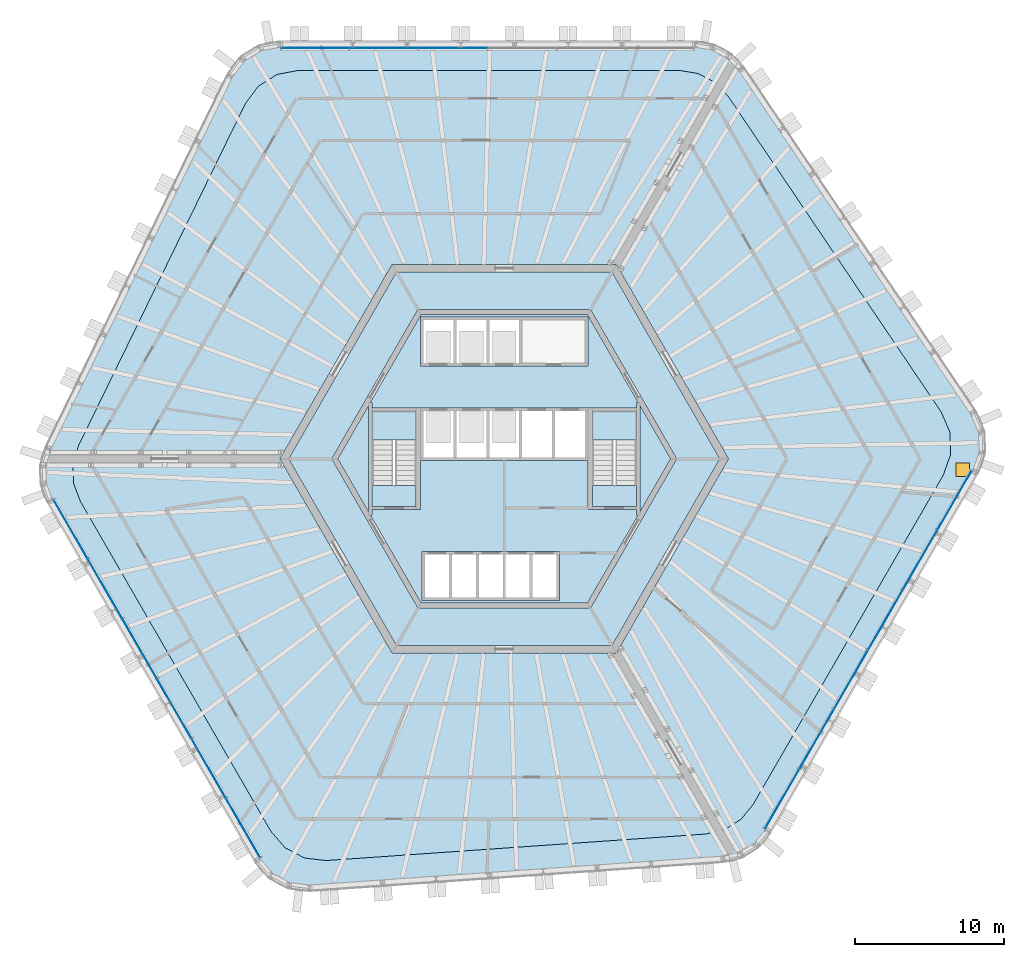
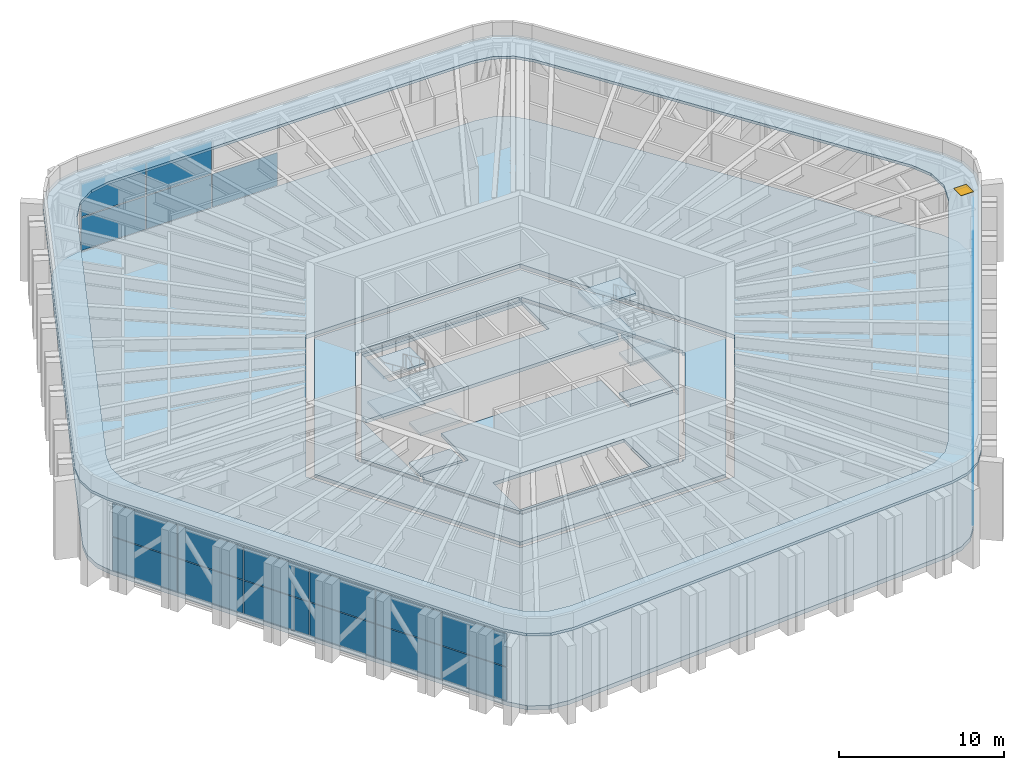
# One storey, part 10 of 24: 29 plates, 15 slabs, 1 door, 1 opening, 5 elements without a shape of their own.
"""IFC4 building model written with IfcOpenShell, lengths in metres."""

from ifc_helpers import new_model, si_unit, direction, frame, origin, origin_2d, place, context, subcontext, project, spatial, polyline, rectangle, outline, extrude, material, layer, layer_set, type_object, element, fill, aggregate, save


model = new_model("IFC4")

# Units and contexts
model_context = context("Model", 3, precision=1e-05, world=origin(), true_north=direction((0.0, 1.0)))
body_context = subcontext(model_context, "Body", "Model", "MODEL_VIEW")
ifc_project = project(units=[si_unit("LENGTHUNIT", "METRE"), si_unit("AREAUNIT", "SQUARE_METRE"), si_unit("VOLUMEUNIT", "CUBIC_METRE"), si_unit("PLANEANGLEUNIT", "RADIAN"), si_unit("MASSUNIT", "GRAM", prefix="KILO")], contexts=[model_context])

# Site, building, storey
site_placement = place(None, origin())
site = spatial("IfcSite", under=ifc_project, at=site_placement, CompositionType="ELEMENT")
building_placement = place(site_placement, origin())
building = spatial("IfcBuilding", under=site, at=building_placement, Name="Tarnside Tower", CompositionType="ELEMENT")
storey_placement = place(building_placement, frame((0.0, 0.0, 250.199951171875)))
storey = spatial("IfcBuildingStorey", under=building, at=storey_placement, Name="L60", CompositionType="ELEMENT", Elevation=250.199951171875)

# Slabs
ifc_material_1 = material(Name="Concrete C35/45", Category="concrete")
ifc_layer_1 = layer(ifc_material_1, 0.300048828125)
ifc_layer_set_1 = layer_set([ifc_layer_1], Name="Composite floor slab 300")
slab_type_1 = type_object("IfcSlabType", Name="Composite floor slab 300", PredefinedType="FLOOR", material=ifc_layer_set_1)
slab_1_placement = place(storey_placement, frame((0.0, 0.0, -0.300048828125)))
element("IfcSlab", 1, at=slab_1_placement, inside=storey, type_object=slab_type_1, Name="Floor slab L60", PredefinedType="FLOOR", context=body_context, shape_type="SweptSolid", body=[
    extrude(outline(polyline([(13.88720703125, 27.333740234375), (14.89501953125, 26.7978515625), (15.689697265625, 25.955322265625), (31.19189453125, 2.97265625), (31.71533203125, 1.759033203125), (31.7607421875, 0.45751953125), (31.3232421875, -0.78955078125), (17.462158203125, -24.797607421875), (16.72802734375, -25.693603515625), (15.760009765625, -26.29833984375), (14.63330078125, -26.5654296875), (-13.021484375, -28.499267578125), (-14.334228515625, -28.345703125), (-15.484130859375, -27.734375), (-16.345458984375, -26.73193359375), (-30.20654296875, -2.723876953125), (-30.615234375, -1.64013671875), (-30.655029296875, -0.49951171875), (-30.322998046875, 0.610107421875), (-18.17041015625, 25.526611328125), (-17.381103515625, 26.5869140625), (-16.276611328125, 27.27685546875), (-14.977783203125, 27.521484375), (12.744384765625, 27.521484375), (13.88720703125, 27.333740234375)]), holes=[polyline([(-15.010986328125, 0.0), (-7.505615234375, -13.0), (7.505615234375, -13.0), (15.010986328125, 0.0), (7.505615234375, 13.0), (-7.505615234375, 13.0), (-15.010986328125, 0.0)])]), origin(), (0.0, 0.0, 1.0), 0.300048828125),
])
ifc_material_2 = material(Name="Concrete C40/50", Category="concrete")
ifc_layer_2 = layer(ifc_material_2, 0.25)
ifc_layer_set_2 = layer_set([ifc_layer_2], Name="Core slab C40/50")
slab_type_2 = type_object("IfcSlabType", Name="Core slab C40/50", PredefinedType="FLOOR", material=ifc_layer_set_2)
slab_2_placement = place(storey_placement, frame((0.0, 0.0, -0.25)))
element("IfcSlab", 2, at=slab_2_placement, inside=storey, type_object=slab_type_2, Name="L60 core floor slab 1", PredefinedType="FLOOR", context=body_context, shape_type="SweptSolid", body=[
    extrude(outline(polyline([(-7.216796875, 12.5), (7.216796875, 12.5), (14.433837890625, 0.0), (7.216796875, -12.5), (-7.216796875, -12.5), (-14.433837890625, 0.0), (-7.216796875, 12.5)]), holes=[polyline([(5.823974609375, -9.91259765625), (11.49658203125, -0.08740234375), (11.344970703125, 0.0), (11.49658203125, 0.08740234375), (5.823974609375, 9.91259765625), (5.672607421875, 9.824951171875), (5.672607421875, 10.0), (-5.672607421875, 10.0), (-5.672607421875, 9.824951171875), (-5.823974609375, 9.91259765625), (-11.49658203125, 0.08740234375), (-11.344970703125, 0.0), (-11.49658203125, -0.08740234375), (-5.823974609375, -9.91259765625), (-5.672607421875, -9.824951171875), (-5.672607421875, -10.0), (5.672607421875, -10.0), (5.672607421875, -9.824951171875), (5.823974609375, -9.91259765625)])]), origin(), (0.0, 0.0, 1.0), 0.25),
])
slab_3_placement = place(storey_placement, frame((0.0, 0.0, -0.25)))
element("IfcSlab", 3, at=slab_3_placement, inside=storey, type_object=slab_type_2, Name="L60 core floor slab 2", PredefinedType="FLOOR", context=body_context, shape_type="SweptSolid", body=[
    extrude(outline(polyline([(-8.97509765625, 3.7548828125), (-5.5712890625, 9.64990234375), (5.5712890625, 9.64990234375), (8.97509765625, 3.7548828125), (8.85009765625, 3.7548828125), (8.85009765625, 3.39990234375), (5.89990234375, 3.39990234375), (5.60009765625, 3.39990234375), (5.60009765625, 3.39990234375), (-5.60009765625, 3.39990234375), (-5.89990234375, 3.39990234375), (-8.85009765625, 3.39990234375), (-8.85009765625, 3.7548828125), (-8.97509765625, 3.7548828125)]), holes=[polyline([(-5.60009765625, 6.199951171875), (5.60009765625, 6.199951171875), (5.60009765625, 6.39990234375), (5.60009765625, 9.300048828125), (5.60009765625, 9.5), (-5.60009765625, 9.5), (-5.60009765625, 9.300048828125), (-5.60009765625, 6.39990234375), (-5.60009765625, 6.199951171875)])]), origin(), (0.0, 0.0, 1.0), 0.25),
])
slab_4_placement = place(storey_placement, frame((0.0, 0.0, -0.25)))
element("IfcSlab", 4, at=slab_4_placement, inside=storey, type_object=slab_type_2, Name="L60 core floor slab 3", PredefinedType="FLOOR", context=body_context, shape_type="SweptSolid", body=[
    extrude(outline(polyline([(5.60009765625, -3.39990234375), (5.89990234375, -3.39990234375), (8.85009765625, -3.39990234375), (8.85009765625, -3.7548828125), (8.97509765625, -3.7548828125), (5.5712890625, -9.64990234375), (-5.5712890625, -9.64990234375), (-8.97509765625, -3.7548828125), (-8.85009765625, -3.7548828125), (-8.85009765625, -3.39990234375), (-5.89990234375, -3.39990234375), (-5.60009765625, -3.39990234375), (-5.60009765625, -0.10009765625), (5.60009765625, -0.10009765625), (5.60009765625, -3.39990234375)]), holes=[polyline([(-5.5, -9.300048828125), (-5.5, -9.5), (3.699951171875, -9.5), (3.699951171875, -9.300048828125), (3.699951171875, -6.39990234375), (3.699951171875, -6.199951171875), (-5.5, -6.199951171875), (-5.5, -6.39990234375), (-5.5, -9.300048828125)])]), origin(), (0.0, 0.0, 1.0), 0.25),
])
slab_5_placement = place(storey_placement, frame((0.0, 0.0, -0.25)))
element("IfcSlab", 5, at=slab_5_placement, inside=storey, type_object=slab_type_2, Name="L60 core floor slab 4", PredefinedType="FLOOR", context=body_context, shape_type="SweptSolid", body=[
    extrude(outline(polyline([(-11.142822265625, 0.0), (-9.10009765625, 3.538330078125), (-9.10009765625, -3.538330078125), (-11.142822265625, 0.0)])), origin(), (0.0, 0.0, 1.0), 0.25),
])
slab_6_placement = place(storey_placement, frame((0.0, 0.0, -0.25)))
element("IfcSlab", 6, at=slab_6_placement, inside=storey, type_object=slab_type_2, Name="L60 core floor slab 5", PredefinedType="FLOOR", context=body_context, shape_type="SweptSolid", body=[
    extrude(outline(polyline([(-8.85009765625, -1.800048828125), (-5.89990234375, -1.800048828125), (-5.89990234375, -3.199951171875), (-8.85009765625, -3.199951171875), (-8.85009765625, -1.800048828125)])), origin(), (0.0, 0.0, 1.0), 0.25),
])
slab_7_placement = place(storey_placement, frame((0.0, 0.0, -0.25)))
element("IfcSlab", 7, at=slab_7_placement, inside=storey, type_object=slab_type_2, Name="L60 core floor slab 6", PredefinedType="FLOOR", context=body_context, shape_type="SweptSolid", body=[
    extrude(outline(polyline([(5.89990234375, -3.199951171875), (5.89990234375, -1.800048828125), (8.85009765625, -1.800048828125), (8.85009765625, -3.199951171875), (5.89990234375, -3.199951171875)])), origin(), (0.0, 0.0, 1.0), 0.25),
])
slab_8_placement = place(storey_placement, frame((0.0, 0.0, -0.25)))
element("IfcSlab", 8, at=slab_8_placement, inside=storey, type_object=slab_type_2, Name="L60 core floor slab 7", PredefinedType="FLOOR", context=body_context, shape_type="SweptSolid", body=[
    extrude(outline(polyline([(9.10009765625, -3.538330078125), (9.10009765625, 3.538330078125), (11.142822265625, 0.0), (9.10009765625, -3.538330078125)])), origin(), (0.0, 0.0, 1.0), 0.25),
])

# Slab, opening, door
ifc_layer_3 = layer(ifc_material_1, 0.199951171875)
ifc_layer_set_3 = layer_set([ifc_layer_3], Name="Setback roof slab 200")
slab_type_3 = type_object("IfcSlabType", Name="Setback roof slab 200", PredefinedType="ROOF", material=ifc_layer_set_3)
slab_9_placement = place(storey_placement, frame((0.0, 0.0, 5.5)))
slab_9 = element("IfcSlab", 9, at=slab_9_placement, inside=storey, type_object=slab_type_3, Name="Setback roof L60", PredefinedType="ROOF", context=body_context, shape_type="SweptSolid", body=[
    extrude(outline(polyline([(15.186767578125, 27.180419921875), (16.0771484375, 26.23681640625), (31.59912109375, 3.224365234375), (32.185791015625, 1.86474609375), (32.2373046875, 0.385009765625), (31.7470703125, -1.012451171875), (17.8681640625, -25.05126953125), (17.0458984375, -26.054931640625), (15.945556640625, -26.742431640625), (14.68310546875, -27.041748046875), (-13.007080078125, -28.97802734375), (-14.477783203125, -28.805908203125), (-15.785400390625, -28.11083984375), (-16.750244140625, -26.987548828125), (-30.629150390625, -2.94873046875), (-31.087158203125, -1.734619140625), (-31.13232421875, -0.43798828125), (-30.76025390625, 0.804931640625), (-18.592041015625, 25.75341796875), (-17.707763671875, 26.941162109375), (-16.4521484375, 27.725830078125), (-14.996826171875, 28.0), (12.760986328125, 28.0), (14.041259765625, 27.78955078125), (15.186767578125, 27.180419921875)]), holes=[polyline([(11.718017578125, 26.0), (11.697509765625, 26.0), (-13.7470703125, 26.0), (-13.7705078125, 26.0), (-15.203857421875, 25.72998046875), (-16.4609375, 24.944580078125), (-17.33203125, 23.7744140625), (-17.629150390625, 23.165283203125), (-17.9775390625, 22.451171875), (-17.9775390625, 22.451171875), (-17.977783203125, 22.451171875), (-17.977783203125, 22.451171875), (-17.977783203125, 22.451171875), (-17.97802734375, 22.451171875), (-17.97802734375, 22.451171875), (-17.978271484375, 22.451171875), (-17.978271484375, 22.451171875), (-17.978271484375, 22.451171875), (-17.978515625, 22.451171875), (-17.978515625, 22.450927734375), (-17.978515625, 22.450927734375), (-17.978759765625, 22.450927734375), (-17.978759765625, 22.450927734375), (-17.978759765625, 22.45068359375), (-17.978759765625, 22.45068359375), (-27.86181640625, 2.1875), (-27.86181640625, 2.1875), (-27.86181640625, 2.1875), (-27.86181640625, 2.187255859375), (-27.86181640625, 2.187255859375), (-27.86181640625, 2.18701171875), (-27.86181640625, 2.18701171875), (-27.86181640625, 2.18701171875), (-27.86181640625, 2.186767578125), (-27.86181640625, 2.186767578125), (-27.86181640625, 2.186767578125), (-27.86181640625, 2.1865234375), (-27.861572265625, 2.1865234375), (-27.861572265625, 2.1865234375), (-27.861572265625, 2.186279296875), (-27.861328125, 2.186279296875), (-27.861328125, 2.186279296875), (-28.505615234375, 0.865478515625), (-28.8720703125, -0.358642578125), (-28.82666015625, -1.65625), (-28.375732421875, -2.851806640625), (-19.19580078125, -18.751708984375), (-15.64306640625, -24.9052734375), (-15.64306640625, -24.905517578125), (-15.63134765625, -24.925537109375), (-14.680908203125, -26.031982421875), (-13.3720703125, -26.727783203125), (-11.92333984375, -26.897216796875), (-11.900146484375, -26.8955078125), (-11.89990234375, -26.8955078125), (-11.029296875, -26.834716796875), (-10.45458984375, -26.794677734375), (-10.45458984375, -26.794677734375), (-10.454345703125, -26.794677734375), (-10.454345703125, -26.794921875), (-10.454345703125, -26.794921875), (-10.454345703125, -26.794921875), (-10.454345703125, -26.795166015625), (-10.454345703125, -26.795166015625), (-10.4541015625, -26.795166015625), (-10.4541015625, -26.795166015625), (-10.4541015625, -26.79541015625), (-10.453857421875, -26.79541015625), (-10.453857421875, -26.79541015625), (-10.45361328125, -26.79541015625), (-10.45361328125, -26.79541015625), (-10.45361328125, -26.79541015625), (-10.453369140625, -26.79541015625), (12.036376953125, -25.222900390625), (12.036376953125, -25.222900390625), (12.03662109375, -25.222900390625), (12.03662109375, -25.22265625), (12.036865234375, -25.22265625), (12.036865234375, -25.22265625), (12.036865234375, -25.22265625), (12.037109375, -25.22265625), (12.037109375, -25.222412109375), (12.037109375, -25.222412109375), (12.037109375, -25.222412109375), (12.037109375, -25.22216796875), (12.037353515625, -25.22216796875), (12.037353515625, -25.22216796875), (12.037353515625, -25.221923828125), (12.037353515625, -25.221923828125), (12.037353515625, -25.2216796875), (12.66162109375, -25.17822265625), (13.503173828125, -25.119384765625), (14.74658203125, -24.82470703125), (15.84765625, -24.136474609375), (16.65771484375, -23.148193359375), (27.40625, -4.53076171875), (29.39013671875, -1.0947265625), (29.39013671875, -1.094482421875), (29.40185546875, -1.074462890625), (29.884765625, 0.302001953125), (29.8330078125, 1.783447265625), (29.25537109375, 3.122802734375), (29.2421875, 3.14208984375), (29.2421875, 3.14208984375), (28.431884765625, 4.343505859375), (28.43212890625, 4.343505859375), (28.43212890625, 4.343505859375), (28.43212890625, 4.343505859375), (28.432373046875, 4.34375), (28.432373046875, 4.34375), (28.432373046875, 4.34375), (28.432373046875, 4.343994140625), (28.432373046875, 4.343994140625), (28.432373046875, 4.34423828125), (28.432373046875, 4.34423828125), (28.432373046875, 4.34423828125), (28.432373046875, 4.344482421875), (28.432373046875, 4.344482421875), (28.432373046875, 4.3447265625), (28.432373046875, 4.3447265625), (28.432373046875, 4.3447265625), (15.825439453125, 23.03515625), (15.825439453125, 23.035400390625), (15.8251953125, 23.035400390625), (15.8251953125, 23.035400390625), (15.8251953125, 23.035400390625), (15.824951171875, 23.03564453125), (15.824951171875, 23.03564453125), (15.824951171875, 23.03564453125), (15.82470703125, 23.03564453125), (15.82470703125, 23.03564453125), (15.824462890625, 23.03564453125), (15.824462890625, 23.03564453125), (15.824462890625, 23.03564453125), (15.82421875, 23.03564453125), (15.82421875, 23.03564453125), (15.82421875, 23.03564453125), (15.823974609375, 23.035400390625), (15.43994140625, 23.60498046875), (15.013671875, 24.23681640625), (15.013671875, 24.23681640625), (15.002197265625, 24.253662109375), (14.12548828125, 25.18310546875), (12.97900390625, 25.792724609375), (11.718017578125, 26.0)])]), origin(), (0.0, 0.0, 1.0), 0.199951171875),
])
opening_placement = place(slab_9_placement, frame((30.68603515625, -0.72509765625, 0.0)))
opening = element("IfcOpeningElement", 10, at=opening_placement, cuts=slab_9, Name="Opening RH", PredefinedType="OPENING", context=body_context, shape_type="SweptSolid", body=[
    extrude(rectangle(XDim=0.89990234375, YDim=0.89990234375, at=origin_2d()), origin(), (0.0, 0.0, 1.0), 0.199951171875),
])
ifc_material_3 = material(Name="Aluminium alloy 6063", Category="aluminium")
door_type = type_object("IfcDoorType", Name="Roof access hatch 900 x 900", OperationType="NOTDEFINED", PredefinedType="TRAPDOOR", material=ifc_material_3)
door_placement = place(opening_placement, frame((0.0, 0.0, 0.14990234375)))
door = element("IfcDoor", 11, at=door_placement, inside=storey, type_object=door_type, Name="Roof access hatch", OperationType="SINGLE_SWING_LEFT", OverallHeight=0.89990234375, OverallWidth=0.89990234375, PredefinedType="TRAPDOOR", context=body_context, shape_type="SweptSolid", body=[
    extrude(rectangle(XDim=0.89990234375, YDim=0.89990234375, at=origin_2d()), origin(), (0.0, 0.0, 1.0), 0.050048828125),
])
fill(opening, door)

# Curtain wall, plates
ifc_material_4 = material(Name="Sky lobby glazing wall", Category="glass")
curtain_wall_type = type_object("IfcCurtainWallType", Name="Sky lobby glazing wall", PredefinedType="NOTDEFINED", material=ifc_material_4)
curtain_wall_1_placement = place(storey_placement, origin())
curtain_wall_1 = element("IfcCurtainWall", 12, at=curtain_wall_1_placement, inside=storey, type_object=curtain_wall_type, Name="Sky lobby glazing L60 F1", PredefinedType="NOTDEFINED")
ifc_material_5 = material(Name="Low-iron safety glass", Category="glass")
ifc_layer_4 = layer(ifc_material_5, 0.035888671875)
ifc_layer_set_4 = layer_set([ifc_layer_4], Name="Sky lobby glazing panel 36")
plate_type = type_object("IfcPlateType", Name="Sky lobby glazing panel 36", PredefinedType="CURTAIN_PANEL", material=ifc_layer_set_4)
plate_1_placement = place(storey_placement, frame((-3.43115234375, 27.49658203125, 0.06005859375), z_axis=(0.0, 0.0, 1.0), x_axis=(-1.0, 0.0, 0.0)))
plate_1 = element("IfcPlate", 13, at=plate_1_placement, type_object=plate_type, Name="CW4 panel 4.1", PredefinedType="CURTAIN_PANEL", context=body_context, shape_type="SweptSolid", body=[
    extrude(rectangle(XDim=4.56640625, YDim=0.035888671875, at=origin_2d()), origin(), (0.0, 0.0, 1.0), 2.450439453125),
])
plate_2_placement = place(storey_placement, frame((-8.057373046875, 27.49658203125, 0.06005859375), z_axis=(0.0, 0.0, 1.0), x_axis=(-1.0, 0.0, 0.0)))
plate_2 = element("IfcPlate", 14, at=plate_2_placement, type_object=plate_type, Name="CW4 panel 5.1", PredefinedType="CURTAIN_PANEL", context=body_context, shape_type="SweptSolid", body=[
    extrude(rectangle(XDim=4.56640625, YDim=0.035888671875, at=origin_2d()), origin(), (0.0, 0.0, 1.0), 2.450439453125),
])
plate_3_placement = place(storey_placement, frame((-8.057373046875, 27.49658203125, 2.57080078125), z_axis=(0.0, 0.0, 1.0), x_axis=(-1.0, 0.0, 0.0)))
plate_3 = element("IfcPlate", 15, at=plate_3_placement, type_object=plate_type, Name="CW4 panel 5.2", PredefinedType="CURTAIN_PANEL", context=body_context, shape_type="SweptSolid", body=[
    extrude(rectangle(XDim=4.56640625, YDim=0.035888671875, at=origin_2d()), origin(), (0.0, 0.0, 1.0), 2.450439453125),
])
plate_4_placement = place(storey_placement, frame((-12.668701171875, 27.49658203125, 0.06005859375), z_axis=(0.0, 0.0, 1.0), x_axis=(-1.0, 0.0, 0.0)))
plate_4 = element("IfcPlate", 16, at=plate_4_placement, type_object=plate_type, Name="CW4 panel 6.1", PredefinedType="CURTAIN_PANEL", context=body_context, shape_type="SweptSolid", body=[
    extrude(rectangle(XDim=4.536376953125, YDim=0.035888671875, at=origin_2d()), origin(), (0.0, 0.0, 1.0), 2.450439453125),
])
plate_5_placement = place(storey_placement, frame((-12.668701171875, 27.49658203125, 2.57080078125), z_axis=(0.0, 0.0, 1.0), x_axis=(-1.0, 0.0, 0.0)))
plate_5 = element("IfcPlate", 17, at=plate_5_placement, type_object=plate_type, Name="CW4 panel 6.2", PredefinedType="CURTAIN_PANEL", context=body_context, shape_type="SweptSolid", body=[
    extrude(rectangle(XDim=4.536376953125, YDim=0.035888671875, at=origin_2d()), origin(), (0.0, 0.0, 1.0), 2.450439453125),
])
aggregate(curtain_wall_1, [plate_1, plate_2, plate_3, plate_4, plate_5])

curtain_wall_2_placement = place(storey_placement, origin())
curtain_wall_2 = element("IfcCurtainWall", 18, at=curtain_wall_2_placement, inside=storey, type_object=curtain_wall_type, Name="Sky lobby glazing L60 F3", PredefinedType="NOTDEFINED")
plate_6_placement = place(storey_placement, frame((-29.029052734375, -4.713134765625, 0.06005859375), z_axis=(0.0, 0.0, 1.0), x_axis=(0.5, -0.866025403784, 0.0)))
plate_6 = element("IfcPlate", 19, at=plate_6_placement, type_object=plate_type, Name="CW4 panel 1.1", PredefinedType="CURTAIN_PANEL", context=body_context, shape_type="SweptSolid", body=[
    extrude(rectangle(XDim=4.536376953125, YDim=0.035888671875, at=origin_2d()), origin(), (0.0, 0.0, 1.0), 2.450439453125),
])
plate_7_placement = place(storey_placement, frame((-29.029052734375, -4.713134765625, 2.57080078125), z_axis=(0.0, 0.0, 1.0), x_axis=(0.5, -0.866025403784, 0.0)))
plate_7 = element("IfcPlate", 20, at=plate_7_placement, type_object=plate_type, Name="CW4 panel 1.2", PredefinedType="CURTAIN_PANEL", context=body_context, shape_type="SweptSolid", body=[
    extrude(rectangle(XDim=4.536376953125, YDim=0.035888671875, at=origin_2d()), origin(), (0.0, 0.0, 1.0), 2.450439453125),
])
plate_8_placement = place(storey_placement, frame((-26.723388671875, -8.70654296875, 0.06005859375), z_axis=(0.0, 0.0, 1.0), x_axis=(0.5, -0.866025403784, 0.0)))
plate_8 = element("IfcPlate", 21, at=plate_8_placement, type_object=plate_type, Name="CW4 panel 2.1", PredefinedType="CURTAIN_PANEL", context=body_context, shape_type="SweptSolid", body=[
    extrude(rectangle(XDim=4.56640625, YDim=0.035888671875, at=origin_2d()), origin(), (0.0, 0.0, 1.0), 2.450439453125),
])
plate_9_placement = place(storey_placement, frame((-26.723388671875, -8.70654296875, 2.57080078125), z_axis=(0.0, 0.0, 1.0), x_axis=(0.5, -0.866025403784, 0.0)))
plate_9 = element("IfcPlate", 22, at=plate_9_placement, type_object=plate_type, Name="CW4 panel 2.2", PredefinedType="CURTAIN_PANEL", context=body_context, shape_type="SweptSolid", body=[
    extrude(rectangle(XDim=4.56640625, YDim=0.035888671875, at=origin_2d()), origin(), (0.0, 0.0, 1.0), 2.450439453125),
])
plate_10_placement = place(storey_placement, frame((-24.410400390625, -12.713134765625, 0.06005859375), z_axis=(0.0, 0.0, 1.0), x_axis=(0.5, -0.866025403784, 0.0)))
plate_10 = element("IfcPlate", 23, at=plate_10_placement, type_object=plate_type, Name="CW4 panel 3.1", PredefinedType="CURTAIN_PANEL", context=body_context, shape_type="SweptSolid", body=[
    extrude(rectangle(XDim=4.56640625, YDim=0.035888671875, at=origin_2d()), origin(), (0.0, 0.0, 1.0), 2.450439453125),
])
plate_11_placement = place(storey_placement, frame((-24.410400390625, -12.713134765625, 2.57080078125), z_axis=(0.0, 0.0, 1.0), x_axis=(0.5, -0.866025403784, 0.0)))
plate_11 = element("IfcPlate", 24, at=plate_11_placement, type_object=plate_type, Name="CW4 panel 3.2", PredefinedType="CURTAIN_PANEL", context=body_context, shape_type="SweptSolid", body=[
    extrude(rectangle(XDim=4.56640625, YDim=0.035888671875, at=origin_2d()), origin(), (0.0, 0.0, 1.0), 2.450439453125),
])
plate_12_placement = place(storey_placement, frame((-22.09716796875, -16.7197265625, 0.06005859375), z_axis=(0.0, 0.0, 1.0), x_axis=(0.5, -0.866025403784, 0.0)))
plate_12 = element("IfcPlate", 25, at=plate_12_placement, type_object=plate_type, Name="CW4 panel 4.1", PredefinedType="CURTAIN_PANEL", context=body_context, shape_type="SweptSolid", body=[
    extrude(rectangle(XDim=4.56640625, YDim=0.035888671875, at=origin_2d()), origin(), (0.0, 0.0, 1.0), 2.450439453125),
])
plate_13_placement = place(storey_placement, frame((-22.09716796875, -16.7197265625, 2.57080078125), z_axis=(0.0, 0.0, 1.0), x_axis=(0.5, -0.866025403784, 0.0)))
plate_13 = element("IfcPlate", 26, at=plate_13_placement, type_object=plate_type, Name="CW4 panel 4.2", PredefinedType="CURTAIN_PANEL", context=body_context, shape_type="SweptSolid", body=[
    extrude(rectangle(XDim=4.56640625, YDim=0.035888671875, at=origin_2d()), origin(), (0.0, 0.0, 1.0), 2.450439453125),
])
plate_14_placement = place(storey_placement, frame((-19.783935546875, -20.72607421875, 0.06005859375), z_axis=(0.0, 0.0, 1.0), x_axis=(0.5, -0.866025403784, 0.0)))
plate_14 = element("IfcPlate", 27, at=plate_14_placement, type_object=plate_type, Name="CW4 panel 5.1", PredefinedType="CURTAIN_PANEL", context=body_context, shape_type="SweptSolid", body=[
    extrude(rectangle(XDim=4.56640625, YDim=0.035888671875, at=origin_2d()), origin(), (0.0, 0.0, 1.0), 2.450439453125),
])
plate_15_placement = place(storey_placement, frame((-19.783935546875, -20.72607421875, 2.57080078125), z_axis=(0.0, 0.0, 1.0), x_axis=(0.5, -0.866025403784, 0.0)))
plate_15 = element("IfcPlate", 28, at=plate_15_placement, type_object=plate_type, Name="CW4 panel 5.2", PredefinedType="CURTAIN_PANEL", context=body_context, shape_type="SweptSolid", body=[
    extrude(rectangle(XDim=4.56640625, YDim=0.035888671875, at=origin_2d()), origin(), (0.0, 0.0, 1.0), 2.450439453125),
])
plate_16_placement = place(storey_placement, frame((-17.478271484375, -24.7197265625, 0.06005859375), z_axis=(0.0, 0.0, 1.0), x_axis=(0.5, -0.866025403784, 0.0)))
plate_16 = element("IfcPlate", 29, at=plate_16_placement, type_object=plate_type, Name="CW4 panel 6.1", PredefinedType="CURTAIN_PANEL", context=body_context, shape_type="SweptSolid", body=[
    extrude(rectangle(XDim=4.536376953125, YDim=0.035888671875, at=origin_2d()), origin(), (0.0, 0.0, 1.0), 2.450439453125),
])
plate_17_placement = place(storey_placement, frame((-17.478271484375, -24.7197265625, 2.57080078125), z_axis=(0.0, 0.0, 1.0), x_axis=(0.5, -0.866025403784, 0.0)))
plate_17 = element("IfcPlate", 30, at=plate_17_placement, type_object=plate_type, Name="CW4 panel 6.2", PredefinedType="CURTAIN_PANEL", context=body_context, shape_type="SweptSolid", body=[
    extrude(rectangle(XDim=4.536376953125, YDim=0.035888671875, at=origin_2d()), origin(), (0.0, 0.0, 1.0), 2.450439453125),
])
aggregate(curtain_wall_2, [plate_6, plate_7, plate_8, plate_9, plate_10, plate_11, plate_12, plate_13, plate_14, plate_15, plate_16, plate_17])

curtain_wall_3_placement = place(storey_placement, origin())
curtain_wall_3 = element("IfcCurtainWall", 31, at=curtain_wall_3_placement, inside=storey, type_object=curtain_wall_type, Name="Sky lobby glazing L60 F5", PredefinedType="NOTDEFINED")
plate_18_placement = place(storey_placement, frame((18.59619140625, -22.783447265625, 0.06005859375), z_axis=(0.0, 0.0, 1.0), x_axis=(0.5, 0.866025403784, 0.0)))
plate_18 = element("IfcPlate", 32, at=plate_18_placement, type_object=plate_type, Name="CW4 panel 1.1", PredefinedType="CURTAIN_PANEL", context=body_context, shape_type="SweptSolid", body=[
    extrude(rectangle(XDim=4.536376953125, YDim=0.035888671875, at=origin_2d()), origin(), (0.0, 0.0, 1.0), 2.450439453125),
])
plate_19_placement = place(storey_placement, frame((18.59619140625, -22.783447265625, 2.57080078125), z_axis=(0.0, 0.0, 1.0), x_axis=(0.5, 0.866025403784, 0.0)))
plate_19 = element("IfcPlate", 33, at=plate_19_placement, type_object=plate_type, Name="CW4 panel 1.2", PredefinedType="CURTAIN_PANEL", context=body_context, shape_type="SweptSolid", body=[
    extrude(rectangle(XDim=4.536376953125, YDim=0.035888671875, at=origin_2d()), origin(), (0.0, 0.0, 1.0), 2.450439453125),
])
plate_20_placement = place(storey_placement, frame((20.90185546875, -18.789794921875, 0.06005859375), z_axis=(0.0, 0.0, 1.0), x_axis=(0.5, 0.866025403784, 0.0)))
plate_20 = element("IfcPlate", 34, at=plate_20_placement, type_object=plate_type, Name="CW4 panel 2.1", PredefinedType="CURTAIN_PANEL", context=body_context, shape_type="SweptSolid", body=[
    extrude(rectangle(XDim=4.56640625, YDim=0.035888671875, at=origin_2d()), origin(), (0.0, 0.0, 1.0), 2.450439453125),
])
plate_21_placement = place(storey_placement, frame((20.90185546875, -18.789794921875, 2.57080078125), z_axis=(0.0, 0.0, 1.0), x_axis=(0.5, 0.866025403784, 0.0)))
plate_21 = element("IfcPlate", 35, at=plate_21_placement, type_object=plate_type, Name="CW4 panel 2.2", PredefinedType="CURTAIN_PANEL", context=body_context, shape_type="SweptSolid", body=[
    extrude(rectangle(XDim=4.56640625, YDim=0.035888671875, at=origin_2d()), origin(), (0.0, 0.0, 1.0), 2.450439453125),
])
plate_22_placement = place(storey_placement, frame((23.215087890625, -14.783447265625, 0.06005859375), z_axis=(0.0, 0.0, 1.0), x_axis=(0.5, 0.866025403784, 0.0)))
plate_22 = element("IfcPlate", 36, at=plate_22_placement, type_object=plate_type, Name="CW4 panel 3.1", PredefinedType="CURTAIN_PANEL", context=body_context, shape_type="SweptSolid", body=[
    extrude(rectangle(XDim=4.56640625, YDim=0.035888671875, at=origin_2d()), origin(), (0.0, 0.0, 1.0), 2.450439453125),
])
plate_23_placement = place(storey_placement, frame((23.215087890625, -14.783447265625, 2.57080078125), z_axis=(0.0, 0.0, 1.0), x_axis=(0.5, 0.866025403784, 0.0)))
plate_23 = element("IfcPlate", 37, at=plate_23_placement, type_object=plate_type, Name="CW4 panel 3.2", PredefinedType="CURTAIN_PANEL", context=body_context, shape_type="SweptSolid", body=[
    extrude(rectangle(XDim=4.56640625, YDim=0.035888671875, at=origin_2d()), origin(), (0.0, 0.0, 1.0), 2.450439453125),
])
plate_24_placement = place(storey_placement, frame((25.5283203125, -10.77685546875, 0.06005859375), z_axis=(0.0, 0.0, 1.0), x_axis=(0.5, 0.866025403784, 0.0)))
plate_24 = element("IfcPlate", 38, at=plate_24_placement, type_object=plate_type, Name="CW4 panel 4.1", PredefinedType="CURTAIN_PANEL", context=body_context, shape_type="SweptSolid", body=[
    extrude(rectangle(XDim=4.56640625, YDim=0.035888671875, at=origin_2d()), origin(), (0.0, 0.0, 1.0), 2.450439453125),
])
plate_25_placement = place(storey_placement, frame((25.5283203125, -10.77685546875, 2.57080078125), z_axis=(0.0, 0.0, 1.0), x_axis=(0.5, 0.866025403784, 0.0)))
plate_25 = element("IfcPlate", 39, at=plate_25_placement, type_object=plate_type, Name="CW4 panel 4.2", PredefinedType="CURTAIN_PANEL", context=body_context, shape_type="SweptSolid", body=[
    extrude(rectangle(XDim=4.56640625, YDim=0.035888671875, at=origin_2d()), origin(), (0.0, 0.0, 1.0), 2.450439453125),
])
plate_26_placement = place(storey_placement, frame((27.84130859375, -6.770263671875, 0.06005859375), z_axis=(0.0, 0.0, 1.0), x_axis=(0.5, 0.866025403784, 0.0)))
plate_26 = element("IfcPlate", 40, at=plate_26_placement, type_object=plate_type, Name="CW4 panel 5.1", PredefinedType="CURTAIN_PANEL", context=body_context, shape_type="SweptSolid", body=[
    extrude(rectangle(XDim=4.56640625, YDim=0.035888671875, at=origin_2d()), origin(), (0.0, 0.0, 1.0), 2.450439453125),
])
plate_27_placement = place(storey_placement, frame((27.84130859375, -6.770263671875, 2.57080078125), z_axis=(0.0, 0.0, 1.0), x_axis=(0.5, 0.866025403784, 0.0)))
plate_27 = element("IfcPlate", 41, at=plate_27_placement, type_object=plate_type, Name="CW4 panel 5.2", PredefinedType="CURTAIN_PANEL", context=body_context, shape_type="SweptSolid", body=[
    extrude(rectangle(XDim=4.56640625, YDim=0.035888671875, at=origin_2d()), origin(), (0.0, 0.0, 1.0), 2.450439453125),
])
plate_28_placement = place(storey_placement, frame((30.14697265625, -2.77685546875, 0.06005859375), z_axis=(0.0, 0.0, 1.0), x_axis=(0.5, 0.866025403784, 0.0)))
plate_28 = element("IfcPlate", 42, at=plate_28_placement, type_object=plate_type, Name="CW4 panel 6.1", PredefinedType="CURTAIN_PANEL", context=body_context, shape_type="SweptSolid", body=[
    extrude(rectangle(XDim=4.536376953125, YDim=0.035888671875, at=origin_2d()), origin(), (0.0, 0.0, 1.0), 2.450439453125),
])
plate_29_placement = place(storey_placement, frame((30.14697265625, -2.77685546875, 2.57080078125), z_axis=(0.0, 0.0, 1.0), x_axis=(0.5, 0.866025403784, 0.0)))
plate_29 = element("IfcPlate", 43, at=plate_29_placement, type_object=plate_type, Name="CW4 panel 6.2", PredefinedType="CURTAIN_PANEL", context=body_context, shape_type="SweptSolid", body=[
    extrude(rectangle(XDim=4.536376953125, YDim=0.035888671875, at=origin_2d()), origin(), (0.0, 0.0, 1.0), 2.450439453125),
])
aggregate(curtain_wall_3, [plate_18, plate_19, plate_20, plate_21, plate_22, plate_23, plate_24, plate_25, plate_26, plate_27, plate_28, plate_29])

# Stair, slabs
stair_type = type_object("IfcStairType", Name="Exit stair 1400 clear", PredefinedType="HALF_TURN_STAIR", material=ifc_material_2)
stair_1_placement = place(storey_placement, origin())
stair_1 = element("IfcStair", 44, at=stair_1_placement, inside=storey, type_object=stair_type, Name="L60 Exit stair 1", PredefinedType="HALF_TURN_STAIR")
ifc_layer_5 = layer(ifc_material_2, 0.199951171875)
ifc_layer_set_5 = layer_set([ifc_layer_5], Name="Stair landing 200 C40/50")
slab_type_4 = type_object("IfcSlabType", Name="Stair landing 200 C40/50", PredefinedType="LANDING", material=ifc_layer_set_5)
slab_10_placement = place(storey_placement, frame((0.0, 0.0, 1.300048828125)))
slab_10 = element("IfcSlab", 45, at=slab_10_placement, type_object=slab_type_4, Name="ST1 landing 1", PredefinedType="LANDING", context=body_context, shape_type="SweptSolid", body=[
    extrude(outline(polyline([(8.85009765625, 1.260009765625), (8.85009765625, 3.199951171875), (5.89990234375, 3.199951171875), (5.89990234375, 1.260009765625), (8.85009765625, 1.260009765625)])), origin(), (0.0, 0.0, 1.0), 0.199951171875),
])
slab_11_placement = place(storey_placement, frame((0.0, 0.0, 2.800048828125)))
slab_11 = element("IfcSlab", 46, at=slab_11_placement, type_object=slab_type_4, Name="ST1 landing 2", PredefinedType="LANDING", context=body_context, shape_type="SweptSolid", body=[
    extrude(outline(polyline([(8.85009765625, -3.199951171875), (8.85009765625, -1.800048828125), (5.89990234375, -1.800048828125), (5.89990234375, -3.199951171875), (8.85009765625, -3.199951171875)])), origin(), (0.0, 0.0, 1.0), 0.199951171875),
])
slab_12_placement = place(storey_placement, frame((0.0, 0.0, 4.300048828125)))
slab_12 = element("IfcSlab", 47, at=slab_12_placement, type_object=slab_type_4, Name="ST1 landing 3", PredefinedType="LANDING", context=body_context, shape_type="SweptSolid", body=[
    extrude(outline(polyline([(8.85009765625, 1.260009765625), (8.85009765625, 3.199951171875), (5.89990234375, 3.199951171875), (5.89990234375, 1.260009765625), (8.85009765625, 1.260009765625)])), origin(), (0.0, 0.0, 1.0), 0.199951171875),
])
aggregate(stair_1, [slab_10, slab_11, slab_12])

stair_2_placement = place(storey_placement, origin())
stair_2 = element("IfcStair", 48, at=stair_2_placement, inside=storey, type_object=stair_type, Name="L60 Exit stair 2", PredefinedType="HALF_TURN_STAIR")
slab_13_placement = place(storey_placement, frame((0.0, 0.0, 1.300048828125)))
slab_13 = element("IfcSlab", 49, at=slab_13_placement, type_object=slab_type_4, Name="ST2 landing 1", PredefinedType="LANDING", context=body_context, shape_type="SweptSolid", body=[
    extrude(outline(polyline([(-5.89990234375, 1.260009765625), (-5.89990234375, 3.199951171875), (-8.85009765625, 3.199951171875), (-8.85009765625, 1.260009765625), (-5.89990234375, 1.260009765625)])), origin(), (0.0, 0.0, 1.0), 0.199951171875),
])
slab_14_placement = place(storey_placement, frame((0.0, 0.0, 2.800048828125)))
slab_14 = element("IfcSlab", 50, at=slab_14_placement, type_object=slab_type_4, Name="ST2 landing 2", PredefinedType="LANDING", context=body_context, shape_type="SweptSolid", body=[
    extrude(outline(polyline([(-5.89990234375, -3.199951171875), (-5.89990234375, -1.800048828125), (-8.85009765625, -1.800048828125), (-8.85009765625, -3.199951171875), (-5.89990234375, -3.199951171875)])), origin(), (0.0, 0.0, 1.0), 0.199951171875),
])
slab_15_placement = place(storey_placement, frame((0.0, 0.0, 4.300048828125)))
slab_15 = element("IfcSlab", 51, at=slab_15_placement, type_object=slab_type_4, Name="ST2 landing 3", PredefinedType="LANDING", context=body_context, shape_type="SweptSolid", body=[
    extrude(outline(polyline([(-5.89990234375, 1.260009765625), (-5.89990234375, 3.199951171875), (-8.85009765625, 3.199951171875), (-8.85009765625, 1.260009765625), (-5.89990234375, 1.260009765625)])), origin(), (0.0, 0.0, 1.0), 0.199951171875),
])
aggregate(stair_2, [slab_13, slab_14, slab_15])

save(model, "model.ifc")
